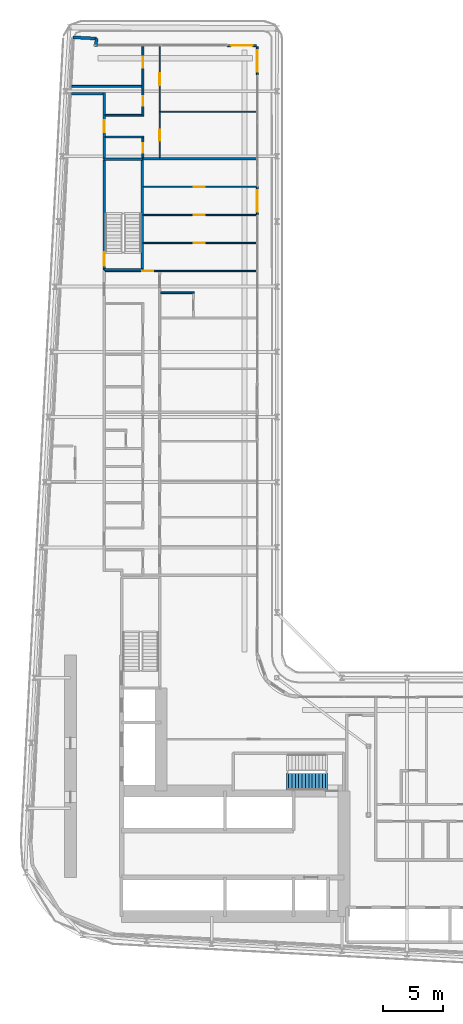
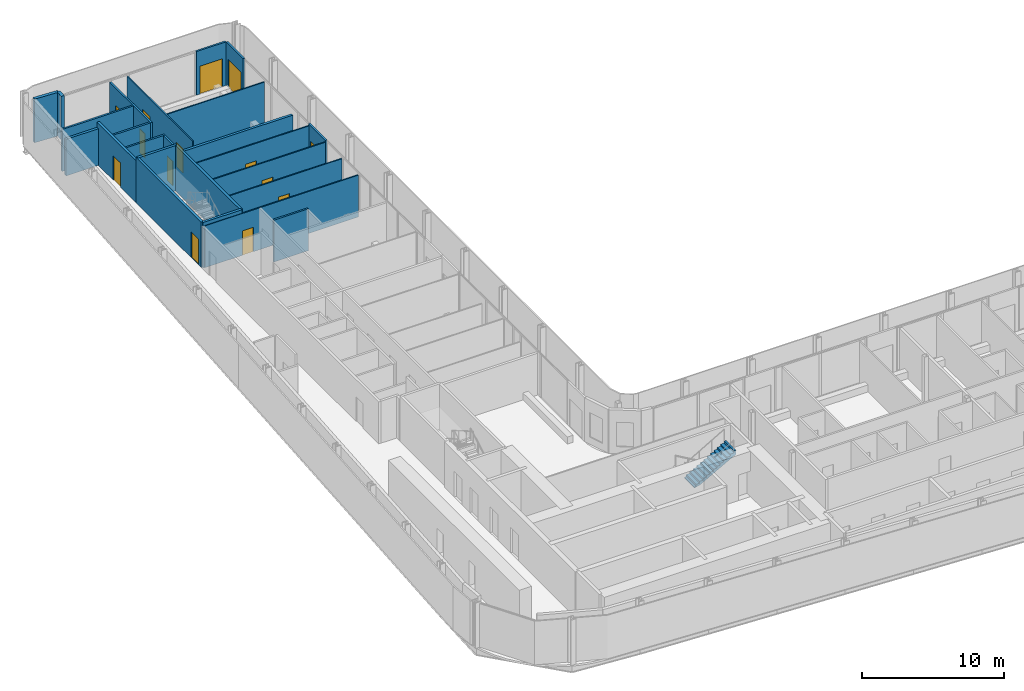
# One storey, part 17 of 25: 24 walls, 14 doors, 1 stair flight, 14 openings, 1 element without a shape of its own.
"""IFC4 building model written with IfcOpenShell, lengths in metres."""

from ifc_helpers import new_model, si_unit, direction, frame, frame_2d, origin, place, context, subcontext, project, spatial, polyline, rectangle, outline, extrude, source, transform, mapped, material, layer, layer_set, type_object, element, fill, aggregate, save


model = new_model("IFC4")

# Units and contexts
model_context = context("Model", 3, precision=1e-05, world=origin(), true_north=direction((0.0, 1.0)))
body_context = subcontext(model_context, "Body", "Model", "MODEL_VIEW")
ifc_project = project(units=[si_unit("LENGTHUNIT", "METRE"), si_unit("AREAUNIT", "SQUARE_METRE"), si_unit("VOLUMEUNIT", "CUBIC_METRE"), si_unit("PLANEANGLEUNIT", "RADIAN"), si_unit("MASSUNIT", "GRAM", prefix="KILO")], contexts=[model_context])

# Site, building, storey
site_placement = place(None, origin())
site = spatial("IfcSite", under=ifc_project, at=site_placement, CompositionType="ELEMENT")
building_placement = place(site_placement, origin())
building = spatial("IfcBuilding", under=site, at=building_placement, Name="Kheshtan School and Residences Tower", CompositionType="ELEMENT")
storey_placement = place(building_placement, frame((0.0, 0.0, 34.39990234375)))
storey = spatial("IfcBuildingStorey", under=building, at=storey_placement, Name="L07", CompositionType="ELEMENT", Elevation=34.39990234375)

# Wall
ifc_material_1 = material(Name="Gypsum board on steel studs with fire boards", Category="steel")
ifc_layer_1 = layer(ifc_material_1, 0.199951171875)
ifc_layer_set_1 = layer_set([ifc_layer_1], Name="Corridor wall 200")
wall_type_1 = type_object("IfcWallType", Name="Corridor wall 200", PredefinedType="PARTITIONING", material=ifc_layer_set_1)
wall_1_placement = place(storey_placement, frame((30.584716796875, 94.0, 0.0), z_axis=(0.0, 0.0, 1.0), x_axis=(1.0, 0.0, 0.0)))
element("IfcWall", 1, at=wall_1_placement, inside=storey, type_object=wall_type_1, Name="Partition L07-002", PredefinedType="PARTITIONING", context=body_context, shape_type="SweptSolid", body=[
    extrude(rectangle(XDim=2.615234375, YDim=0.199951171875, at=frame_2d((1.3076171875, 0.0))), origin(), (0.0, 0.0, 1.0), 3.147216796875),
])

# Wall, opening, door
wall_2_placement = place(storey_placement, frame((33.300048828125, 88.60009765625, 0.0), z_axis=(0.0, 0.0, 1.0), x_axis=(0.0, 1.0, 0.0)))
wall_2 = element("IfcWall", 2, at=wall_2_placement, inside=storey, type_object=wall_type_1, Name="Partition L07-004", PredefinedType="PARTITIONING", context=body_context, shape_type="SweptSolid", body=[
    extrude(rectangle(XDim=5.5, YDim=0.199951171875, at=frame_2d((2.75, 0.0))), origin(), (0.0, 0.0, 1.0), 3.60009765625),
])
opening_1_placement = place(wall_2_placement, frame((2.199951171875, 0.0, 0.0)))
opening_1 = element("IfcOpeningElement", 3, at=opening_1_placement, cuts=wall_2, Name="Opening D06-051", PredefinedType="OPENING", context=body_context, shape_type="SweptSolid", body=[
    extrude(rectangle(XDim=1.0, YDim=2.10009765625, at=frame_2d((0.5, 1.050048828125))), frame((0.0, 0.10986328125, 0.0), z_axis=(0.0, -1.0, 0.0), x_axis=(1.0, 0.0, 0.0)), (0.0, 0.0, 1.0), 0.219970703125),
])
ifc_material_2 = material(Name="Steel-framed fire-resisting door leaf", Category="steel")
door_type_1 = type_object("IfcDoorType", Name="Fire door FD30S 1000 x 2100", OperationType="SINGLE_SWING_LEFT", PredefinedType="DOOR", material=ifc_material_2)
shared_shape_1 = source(origin(), body_context, "Body", "SweptSolid", [
    extrude(rectangle(XDim=1.0, YDim=2.10009765625, at=frame_2d((0.5, 1.050048828125))), frame((0.0, 0.02490234375, 0.0), z_axis=(0.0, -1.0, 0.0), x_axis=(1.0, 0.0, 0.0)), (0.0, 0.0, 1.0), 0.050048828125),
])
door_1_placement = place(opening_1_placement, origin())
door_1 = element("IfcDoor", 4, at=door_1_placement, inside=storey, type_object=door_type_1, Name="Door D06-051", OperationType="SINGLE_SWING_LEFT", OverallHeight=2.10009765625, OverallWidth=1.0, PredefinedType="DOOR", context=body_context, shape_type="MappedRepresentation", body=[
    mapped(shared_shape_1, transform((0.0, 0.0, 0.0), x_axis=(1.0, 0.0, 0.0), y_axis=(0.0, 1.0, 0.0), z_axis=(0.0, 0.0, 1.0), scale=1.0)),
])
fill(opening_1, door_1)

# Walls
ifc_material_3 = material(Name="Concrete C40/50 with ceramic cladding and mineral wool insulation", Category="concrete")
ifc_layer_2 = layer(ifc_material_3, 0.25)
ifc_layer_set_2 = layer_set([ifc_layer_2], Name="External wall 250 ceramic clad")
wall_type_2 = type_object("IfcWallType", Name="External wall 250 ceramic clad", PredefinedType="SOLIDWALL", material=ifc_layer_set_2)
wall_3_placement = place(storey_placement, frame((30.705078125, 98.6640625, 0.0), z_axis=(0.0, 0.0, 1.0), x_axis=(0.998577785791, -0.053314216913, 0.0)))
element("IfcWall", 5, at=wall_3_placement, inside=storey, type_object=wall_type_2, Name="External wall L07 5", PredefinedType="SOLIDWALL", context=body_context, shape_type="SweptSolid", body=[
    extrude(rectangle(XDim=1.95068359375, YDim=0.25, at=frame_2d((0.975341796875, 0.0))), origin(), (0.0, 0.0, 1.0), 3.75),
])
wall_4_placement = place(storey_placement, frame((32.653076171875, 98.56005859375, 0.0), z_axis=(0.0, 0.0, 1.0), x_axis=(-0.054093451632, -0.998535877418, 0.0)))
element("IfcWall", 6, at=wall_4_placement, inside=storey, type_object=wall_type_2, Name="External wall L07 6", PredefinedType="SOLIDWALL", context=body_context, shape_type="SweptSolid", body=[
    extrude(rectangle(XDim=0.66796875, YDim=0.25, at=frame_2d((0.333984375, 0.0))), origin(), (0.0, 0.0, 1.0), 3.75),
])

# Wall, opening, door
ifc_material_4 = material(Name="Aluminium frame wall with insulated infill", Category="aluminium")
ifc_layer_3 = layer(ifc_material_4, 0.14990234375)
ifc_layer_set_3 = layer_set([ifc_layer_3], Name="Glazing frame wall 150")
wall_type_3 = type_object("IfcWallType", Name="Glazing frame wall 150", PredefinedType="SOLIDWALL", material=ifc_layer_set_3)
wall_5_placement = place(storey_placement, frame((43.5, 97.97509765625, 0.0), z_axis=(0.0, 0.0, 1.0), x_axis=(1.0, 0.0, 0.0)))
wall_5 = element("IfcWall", 7, at=wall_5_placement, inside=storey, type_object=wall_type_3, Name="Balcony door wall L07 7.1", PredefinedType="SOLIDWALL", context=body_context, shape_type="SweptSolid", body=[
    extrude(rectangle(XDim=2.39990234375, YDim=0.14990234375, at=frame_2d((1.199951171875, 0.0))), origin(), (0.0, 0.0, 1.0), 3.75),
])
opening_2_placement = place(wall_5_placement, frame((0.300048828125, 0.0, 0.0)))
opening_2 = element("IfcOpeningElement", 8, at=opening_2_placement, cuts=wall_5, Name="Opening BD", PredefinedType="OPENING", context=body_context, shape_type="SweptSolid", body=[
    extrude(rectangle(XDim=1.800048828125, YDim=2.39990234375, at=frame_2d((0.89990234375, 1.199951171875))), frame((0.0, 0.0849609375, 0.0), z_axis=(0.0, -1.0, 0.0), x_axis=(1.0, 0.0, 0.0)), (0.0, 0.0, 1.0), 0.169921875),
])
ifc_material_5 = material(Name="Clear low-e glass in thermally broken aluminium frame", Category="aluminium")
door_type_2 = type_object("IfcDoorType", Name="Balcony sliding door", OperationType="SLIDING_TO_LEFT", PredefinedType="DOOR", material=ifc_material_5)
shared_shape_2 = source(origin(), body_context, "Body", "SweptSolid", [
    extrude(rectangle(XDim=1.800048828125, YDim=2.39990234375, at=frame_2d((0.89990234375, 1.199951171875))), frame((0.0, 0.02490234375, 0.0), z_axis=(0.0, -1.0, 0.0), x_axis=(1.0, 0.0, 0.0)), (0.0, 0.0, 1.0), 0.050048828125),
])
door_2_placement = place(opening_2_placement, origin())
door_2 = element("IfcDoor", 9, at=door_2_placement, inside=storey, type_object=door_type_2, Name="Balcony door L07 7.1", OperationType="SLIDING_TO_LEFT", OverallHeight=2.39990234375, OverallWidth=1.800048828125, PredefinedType="DOOR", context=body_context, shape_type="MappedRepresentation", body=[
    mapped(shared_shape_2, transform((0.0, 0.0, 0.0), x_axis=(1.0, 0.0, 0.0), y_axis=(0.0, 1.0, 0.0), z_axis=(0.0, 0.0, 1.0), scale=1.0)),
])
fill(opening_2, door_2)

wall_6_placement = place(storey_placement, frame((45.97509765625, 97.89990234375, 0.0), z_axis=(0.0, 0.0, 1.0), x_axis=(0.0, -1.0, 0.0)))
wall_6 = element("IfcWall", 10, at=wall_6_placement, inside=storey, type_object=wall_type_3, Name="Balcony door wall L07 8.1", PredefinedType="SOLIDWALL", context=body_context, shape_type="SweptSolid", body=[
    extrude(rectangle(XDim=2.39990234375, YDim=0.14990234375, at=frame_2d((1.199951171875, 0.0))), origin(), (0.0, 0.0, 1.0), 3.75),
])
opening_3_placement = place(wall_6_placement, frame((0.300048828125, 0.0, 0.0)))
opening_3 = element("IfcOpeningElement", 11, at=opening_3_placement, cuts=wall_6, Name="Opening BD", PredefinedType="OPENING", context=body_context, shape_type="SweptSolid", body=[
    extrude(rectangle(XDim=1.800048828125, YDim=2.39990234375, at=frame_2d((0.89990234375, 1.199951171875))), frame((0.0, 0.0849609375, 0.0), z_axis=(0.0, -1.0, 0.0), x_axis=(1.0, 0.0, 0.0)), (0.0, 0.0, 1.0), 0.169921875),
])
door_3_placement = place(opening_3_placement, origin())
door_3 = element("IfcDoor", 12, at=door_3_placement, inside=storey, type_object=door_type_2, Name="Balcony door L07 8.1", OperationType="SLIDING_TO_LEFT", OverallHeight=2.39990234375, OverallWidth=1.800048828125, PredefinedType="DOOR", context=body_context, shape_type="MappedRepresentation", body=[
    mapped(shared_shape_2, transform((0.0, 0.0, 0.0), x_axis=(1.0, 0.0, 0.0), y_axis=(0.0, 1.0, 0.0), z_axis=(0.0, 0.0, 1.0), scale=1.0)),
])
fill(opening_3, door_3)

wall_7_placement = place(storey_placement, frame((45.97509765625, 86.305908203125, 0.0), z_axis=(0.0, 0.0, 1.0), x_axis=(0.0, -1.0, 0.0)))
wall_7 = element("IfcWall", 13, at=wall_7_placement, inside=storey, type_object=wall_type_3, Name="Balcony door wall L07 8.2", PredefinedType="SOLIDWALL", context=body_context, shape_type="SweptSolid", body=[
    extrude(rectangle(XDim=2.39990234375, YDim=0.14990234375, at=frame_2d((1.199951171875, 0.0))), origin(), (0.0, 0.0, 1.0), 3.75),
])
opening_4_placement = place(wall_7_placement, frame((0.300048828125, 0.0, 0.0)))
opening_4 = element("IfcOpeningElement", 14, at=opening_4_placement, cuts=wall_7, Name="Opening BD", PredefinedType="OPENING", context=body_context, shape_type="SweptSolid", body=[
    extrude(rectangle(XDim=1.800048828125, YDim=2.39990234375, at=frame_2d((0.89990234375, 1.199951171875))), frame((0.0, 0.0849609375, 0.0), z_axis=(0.0, -1.0, 0.0), x_axis=(1.0, 0.0, 0.0)), (0.0, 0.0, 1.0), 0.169921875),
])
door_4_placement = place(opening_4_placement, origin())
door_4 = element("IfcDoor", 15, at=door_4_placement, inside=storey, type_object=door_type_2, Name="Balcony door L07 8.2", OperationType="SLIDING_TO_LEFT", OverallHeight=2.39990234375, OverallWidth=1.800048828125, PredefinedType="DOOR", context=body_context, shape_type="MappedRepresentation", body=[
    mapped(shared_shape_2, transform((0.0, 0.0, 0.0), x_axis=(1.0, 0.0, 0.0), y_axis=(0.0, 1.0, 0.0), z_axis=(0.0, 0.0, 1.0), scale=1.0)),
])
fill(opening_4, door_4)

ifc_material_6 = material(Name="Gypsum board on steel studs", Category="steel")
ifc_layer_4 = layer(ifc_material_6, 0.10009765625)
ifc_layer_set_4 = layer_set([ifc_layer_4], Name="Gypsum partition 100")
wall_type_4 = type_object("IfcWallType", Name="Gypsum partition 100", PredefinedType="PARTITIONING", material=ifc_layer_set_4)
wall_8_placement = place(storey_placement, frame((33.39990234375, 79.300048828125, 0.0), z_axis=(0.0, 0.0, 1.0), x_axis=(1.0, 0.0, 0.0)))
wall_8 = element("IfcWall", 16, at=wall_8_placement, inside=storey, type_object=wall_type_4, Name="Partition L07-016", PredefinedType="PARTITIONING", context=body_context, shape_type="SweptSolid", body=[
    extrude(rectangle(XDim=12.5, YDim=0.10009765625, at=frame_2d((6.25, 0.0))), origin(), (0.0, 0.0, 1.0), 3.60009765625),
])
opening_5_placement = place(wall_8_placement, frame((3.052978515625, 0.0, 0.0)))
opening_5 = element("IfcOpeningElement", 17, at=opening_5_placement, cuts=wall_8, Name="Opening D06-045", PredefinedType="OPENING", context=body_context, shape_type="SweptSolid", body=[
    extrude(rectangle(XDim=0.89990234375, YDim=2.10009765625, at=frame_2d((0.449951171875, 1.050048828125))), frame((0.0, 0.06005859375, 0.0), z_axis=(0.0, -1.0, 0.0), x_axis=(1.0, 0.0, 0.0)), (0.0, 0.0, 1.0), 0.1201171875),
])
ifc_material_7 = material(Name="Veneered timber door leaf", Category="wood")
door_type_3 = type_object("IfcDoorType", Name="Door 900 x 2100", OperationType="SINGLE_SWING_LEFT", PredefinedType="DOOR", material=ifc_material_7)
shared_shape_3 = source(origin(), body_context, "Body", "SweptSolid", [
    extrude(rectangle(XDim=0.89990234375, YDim=2.10009765625, at=frame_2d((0.449951171875, 1.050048828125))), frame((0.0, 0.02490234375, 0.0), z_axis=(0.0, -1.0, 0.0), x_axis=(1.0, 0.0, 0.0)), (0.0, 0.0, 1.0), 0.050048828125),
])
door_5_placement = place(opening_5_placement, origin())
door_5 = element("IfcDoor", 18, at=door_5_placement, inside=storey, type_object=door_type_3, Name="Door D06-045", OperationType="SINGLE_SWING_LEFT", OverallHeight=2.10009765625, OverallWidth=0.89990234375, PredefinedType="DOOR", context=body_context, shape_type="MappedRepresentation", body=[
    mapped(shared_shape_3, transform((0.0, 0.0, 0.0), x_axis=(1.0, 0.0, 0.0), y_axis=(0.0, 1.0, 0.0), z_axis=(0.0, 0.0, 1.0), scale=1.0)),
])
fill(opening_5, door_5)

wall_9_placement = place(storey_placement, frame((36.549072265625, 81.625, 0.0), z_axis=(0.0, 0.0, 1.0), x_axis=(1.0, 0.0, 0.0)))
wall_9 = element("IfcWall", 19, at=wall_9_placement, inside=storey, type_object=wall_type_4, Name="Partition L07-029", PredefinedType="PARTITIONING", context=body_context, shape_type="SweptSolid", body=[
    extrude(rectangle(XDim=9.350830078125, YDim=0.10009765625, at=frame_2d((4.67529296875, 0.0))), origin(), (0.0, 0.0, 1.0), 3.60009765625),
])
opening_6_placement = place(wall_9_placement, frame((4.176025390625, 0.0, 0.0)))
opening_6 = element("IfcOpeningElement", 20, at=opening_6_placement, cuts=wall_9, Name="Opening D06-046", PredefinedType="OPENING", context=body_context, shape_type="SweptSolid", body=[
    extrude(rectangle(XDim=0.89990234375, YDim=2.10009765625, at=frame_2d((0.449951171875, 1.050048828125))), frame((0.0, 0.06005859375, 0.0), z_axis=(0.0, -1.0, 0.0), x_axis=(1.0, 0.0, 0.0)), (0.0, 0.0, 1.0), 0.1201171875),
])
door_6_placement = place(opening_6_placement, origin())
door_6 = element("IfcDoor", 21, at=door_6_placement, inside=storey, type_object=door_type_3, Name="Door D06-046", OperationType="SINGLE_SWING_RIGHT", OverallHeight=2.10009765625, OverallWidth=0.89990234375, PredefinedType="DOOR", context=body_context, shape_type="MappedRepresentation", body=[
    mapped(shared_shape_3, transform((0.0, 0.0, 0.0), x_axis=(1.0, 0.0, 0.0), y_axis=(0.0, 1.0, 0.0), z_axis=(0.0, 0.0, 1.0), scale=1.0)),
])
fill(opening_6, door_6)

wall_10_placement = place(storey_placement, frame((36.549072265625, 83.949951171875, 0.0), z_axis=(0.0, 0.0, 1.0), x_axis=(1.0, 0.0, 0.0)))
wall_10 = element("IfcWall", 22, at=wall_10_placement, inside=storey, type_object=wall_type_4, Name="Partition L07-030", PredefinedType="PARTITIONING", context=body_context, shape_type="SweptSolid", body=[
    extrude(rectangle(XDim=9.350830078125, YDim=0.10009765625, at=frame_2d((4.67529296875, 0.0))), origin(), (0.0, 0.0, 1.0), 3.60009765625),
])
opening_7_placement = place(wall_10_placement, frame((4.176025390625, 0.0, 0.0)))
opening_7 = element("IfcOpeningElement", 23, at=opening_7_placement, cuts=wall_10, Name="Opening D06-047", PredefinedType="OPENING", context=body_context, shape_type="SweptSolid", body=[
    extrude(rectangle(XDim=0.89990234375, YDim=2.10009765625, at=frame_2d((0.449951171875, 1.050048828125))), frame((0.0, 0.06005859375, 0.0), z_axis=(0.0, -1.0, 0.0), x_axis=(1.0, 0.0, 0.0)), (0.0, 0.0, 1.0), 0.1201171875),
])
door_7_placement = place(opening_7_placement, origin())
door_7 = element("IfcDoor", 24, at=door_7_placement, inside=storey, type_object=door_type_3, Name="Door D06-047", OperationType="SINGLE_SWING_RIGHT", OverallHeight=2.10009765625, OverallWidth=0.89990234375, PredefinedType="DOOR", context=body_context, shape_type="MappedRepresentation", body=[
    mapped(shared_shape_3, transform((0.0, 0.0, 0.0), x_axis=(1.0, 0.0, 0.0), y_axis=(0.0, 1.0, 0.0), z_axis=(0.0, 0.0, 1.0), scale=1.0)),
])
fill(opening_7, door_7)

wall_11_placement = place(storey_placement, frame((36.549072265625, 86.27490234375, 0.0), z_axis=(0.0, 0.0, 1.0), x_axis=(1.0, 0.0, 0.0)))
wall_11 = element("IfcWall", 25, at=wall_11_placement, inside=storey, type_object=wall_type_4, Name="Partition L07-031", PredefinedType="PARTITIONING", context=body_context, shape_type="SweptSolid", body=[
    extrude(rectangle(XDim=9.350830078125, YDim=0.10009765625, at=frame_2d((4.67529296875, 0.0))), origin(), (0.0, 0.0, 1.0), 3.60009765625),
])
opening_8_placement = place(wall_11_placement, frame((4.176025390625, 0.0, 0.0)))
opening_8 = element("IfcOpeningElement", 26, at=opening_8_placement, cuts=wall_11, Name="Opening D06-048", PredefinedType="OPENING", context=body_context, shape_type="SweptSolid", body=[
    extrude(rectangle(XDim=0.89990234375, YDim=2.10009765625, at=frame_2d((0.449951171875, 1.050048828125))), frame((0.0, 0.06005859375, 0.0), z_axis=(0.0, -1.0, 0.0), x_axis=(1.0, 0.0, 0.0)), (0.0, 0.0, 1.0), 0.1201171875),
])
door_8_placement = place(opening_8_placement, origin())
door_8 = element("IfcDoor", 27, at=door_8_placement, inside=storey, type_object=door_type_3, Name="Door D06-048", OperationType="SINGLE_SWING_RIGHT", OverallHeight=2.10009765625, OverallWidth=0.89990234375, PredefinedType="DOOR", context=body_context, shape_type="MappedRepresentation", body=[
    mapped(shared_shape_3, transform((0.0, 0.0, 0.0), x_axis=(1.0, 0.0, 0.0), y_axis=(0.0, 1.0, 0.0), z_axis=(0.0, 0.0, 1.0), scale=1.0)),
])
fill(opening_8, door_8)

# Wall, openings, doors
wall_12_placement = place(storey_placement, frame((37.89990234375, 88.699951171875, 0.0), z_axis=(0.0, 0.0, 1.0), x_axis=(0.0, 1.0, 0.0)))
wall_12 = element("IfcWall", 28, at=wall_12_placement, inside=storey, type_object=wall_type_4, Name="Partition L07-034", PredefinedType="PARTITIONING", context=body_context, shape_type="SweptSolid", body=[
    extrude(rectangle(XDim=9.199951171875, YDim=0.10009765625, at=frame_2d((4.60009765625, 0.0))), origin(), (0.0, 0.0, 1.0), 3.60009765625),
])
opening_9_placement = place(wall_12_placement, frame((1.39990234375, 0.0, 0.0)))
opening_9 = element("IfcOpeningElement", 29, at=opening_9_placement, cuts=wall_12, Name="Opening D06-050", PredefinedType="OPENING", context=body_context, shape_type="SweptSolid", body=[
    extrude(rectangle(XDim=0.89990234375, YDim=2.10009765625, at=frame_2d((0.449951171875, 1.050048828125))), frame((0.0, 0.06005859375, 0.0), z_axis=(0.0, -1.0, 0.0), x_axis=(1.0, 0.0, 0.0)), (0.0, 0.0, 1.0), 0.1201171875),
])
opening_10_placement = place(wall_12_placement, frame((6.0, 0.0, 0.0)))
opening_10 = element("IfcOpeningElement", 30, at=opening_10_placement, cuts=wall_12, Name="Opening D06-053", PredefinedType="OPENING", context=body_context, shape_type="SweptSolid", body=[
    extrude(rectangle(XDim=1.0, YDim=2.10009765625, at=frame_2d((0.5, 1.050048828125))), frame((0.0, 0.06005859375, 0.0), z_axis=(0.0, -1.0, 0.0), x_axis=(1.0, 0.0, 0.0)), (0.0, 0.0, 1.0), 0.1201171875),
])
door_type_4 = type_object("IfcDoorType", Name="Door 1000 x 2100", OperationType="SINGLE_SWING_LEFT", PredefinedType="DOOR", material=ifc_material_7)
shared_shape_4 = source(origin(), body_context, "Body", "SweptSolid", [
    extrude(rectangle(XDim=1.0, YDim=2.10009765625, at=frame_2d((0.5, 1.050048828125))), frame((0.0, 0.02490234375, 0.0), z_axis=(0.0, -1.0, 0.0), x_axis=(1.0, 0.0, 0.0)), (0.0, 0.0, 1.0), 0.050048828125),
])
door_9_placement = place(opening_10_placement, origin())
door_9 = element("IfcDoor", 31, at=door_9_placement, inside=storey, type_object=door_type_4, Name="Door D06-053", OperationType="SINGLE_SWING_RIGHT", OverallHeight=2.10009765625, OverallWidth=1.0, PredefinedType="DOOR", context=body_context, shape_type="MappedRepresentation", body=[
    mapped(shared_shape_4, transform((0.0, 0.0, 0.0), x_axis=(1.0, 0.0, 0.0), y_axis=(0.0, 1.0, 0.0), z_axis=(0.0, 0.0, 1.0), scale=1.0)),
])
fill(opening_10, door_9)
door_10_placement = place(opening_9_placement, origin())
door_10 = element("IfcDoor", 32, at=door_10_placement, inside=storey, type_object=door_type_3, Name="Door D06-050", OperationType="SINGLE_SWING_LEFT", OverallHeight=2.10009765625, OverallWidth=0.89990234375, PredefinedType="DOOR", context=body_context, shape_type="MappedRepresentation", body=[
    mapped(shared_shape_3, transform((0.0, 0.0, 0.0), x_axis=(1.0, 0.0, 0.0), y_axis=(0.0, 1.0, 0.0), z_axis=(0.0, 0.0, 1.0), scale=1.0)),
])
fill(opening_9, door_10)

# Walls
wall_13_placement = place(storey_placement, frame((37.949951171875, 92.5, 0.0), z_axis=(0.0, 0.0, 1.0), x_axis=(1.0, 0.0, 0.0)))
element("IfcWall", 33, at=wall_13_placement, inside=storey, type_object=wall_type_4, Name="Partition L07-035", PredefinedType="PARTITIONING", context=body_context, shape_type="SweptSolid", body=[
    extrude(rectangle(XDim=7.949951171875, YDim=0.10009765625, at=frame_2d((3.97509765625, 0.0))), origin(), (0.0, 0.0, 1.0), 3.60009765625),
])
ifc_material_8 = material(Name="Concrete C40/50", Category="concrete")
ifc_layer_5 = layer(ifc_material_8, 0.199951171875)
ifc_layer_set_5 = layer_set([ifc_layer_5], Name="Stair enclosure wall 200 Concrete C40/50")
wall_type_5 = type_object("IfcWallType", Name="Stair enclosure wall 200 Concrete C40/50", PredefinedType="SHEAR", material=ifc_layer_set_5)
for number, where, z_axis, x_axis, name in (
    (34, (33.300048828125, 79.39990234375, 0.0), (0.0, 0.0, 1.0), (1.0, 0.0, 0.0), "Stair enclosure wall ST3"),
    (35, (33.300048828125, 88.56005859375, 0.0), (0.0, 0.0, 1.0), (1.0, 0.0, 0.0), "Stair enclosure wall ST3"),
):
    element("IfcWall", number, at=place(storey_placement, frame(where, z_axis=z_axis, x_axis=x_axis)), inside=storey, type_object=wall_type_5, Name=name, PredefinedType="SHEAR", context=body_context, shape_type="SweptSolid", body=[
        extrude(rectangle(XDim=3.14990234375, YDim=0.199951171875, at=frame_2d((1.574951171875, 0.0))), origin(), (0.0, 0.0, 1.0), 3.900146484375),
    ])

# Wall, opening, door
wall_14_placement = place(storey_placement, frame((33.300048828125, 79.39990234375, 0.0), z_axis=(0.0, 0.0, 1.0), x_axis=(0.0, 1.0, 0.0)))
wall_14 = element("IfcWall", 36, at=wall_14_placement, inside=storey, type_object=wall_type_5, Name="Stair enclosure wall ST3", PredefinedType="SHEAR", context=body_context, shape_type="SweptSolid", body=[
    extrude(rectangle(XDim=9.16015625, YDim=0.199951171875, at=frame_2d((4.580078125, 0.0))), origin(), (0.0, 0.0, 1.0), 3.900146484375),
])
opening_11_placement = place(wall_14_placement, frame((0.35009765625, 0.0, 0.0)))
opening_11 = element("IfcOpeningElement", 37, at=opening_11_placement, cuts=wall_14, Name="Opening ST3D", PredefinedType="OPENING", context=body_context, shape_type="SweptSolid", body=[
    extrude(rectangle(XDim=1.10009765625, YDim=2.199951171875, at=frame_2d((0.550048828125, 1.10009765625))), frame((0.0, 0.10986328125, 0.0), z_axis=(0.0, -1.0, 0.0), x_axis=(1.0, 0.0, 0.0)), (0.0, 0.0, 1.0), 0.219970703125),
])
ifc_material_9 = material(Name="Steel door leaf, galvanised", Category="steel")
door_type_5 = type_object("IfcDoorType", Name="Stair door 1100 steel 90 min", OperationType="SINGLE_SWING_LEFT", PredefinedType="DOOR", material=ifc_material_9)
shared_shape_5 = source(origin(), body_context, "Body", "SweptSolid", [
    extrude(rectangle(XDim=1.10009765625, YDim=2.199951171875, at=frame_2d((0.550048828125, 1.10009765625))), frame((0.0, 0.02490234375, 0.0), z_axis=(0.0, -1.0, 0.0), x_axis=(1.0, 0.0, 0.0)), (0.0, 0.0, 1.0), 0.050048828125),
])
door_11_placement = place(opening_11_placement, origin())
door_11 = element("IfcDoor", 38, at=door_11_placement, inside=storey, type_object=door_type_5, Name="Stair ST3 door", OperationType="SINGLE_SWING_RIGHT", OverallHeight=2.199951171875, OverallWidth=1.10009765625, PredefinedType="DOOR", context=body_context, shape_type="MappedRepresentation", body=[
    mapped(shared_shape_5, transform((0.0, 0.0, 0.0), x_axis=(1.0, 0.0, 0.0), y_axis=(0.0, 1.0, 0.0), z_axis=(0.0, 0.0, 1.0), scale=1.0)),
])
fill(opening_11, door_11)

# Walls
wall_15_placement = place(storey_placement, frame((36.449951171875, 79.39990234375, 0.0), z_axis=(0.0, 0.0, 1.0), x_axis=(0.0, 1.0, 0.0)))
element("IfcWall", 39, at=wall_15_placement, inside=storey, type_object=wall_type_5, Name="Stair enclosure wall ST3", PredefinedType="SHEAR", context=body_context, shape_type="SweptSolid", body=[
    extrude(rectangle(XDim=9.16015625, YDim=0.199951171875, at=frame_2d((4.580078125, 0.0))), origin(), (0.0, 0.0, 1.0), 3.900146484375),
])
ifc_material_10 = material(Name="Twin gypsum board on steel studs with mineral wool", Category="steel")
ifc_layer_6 = layer(ifc_material_10, 0.199951171875)
ifc_layer_set_6 = layer_set([ifc_layer_6], Name="Unit demising wall 200")
wall_type_6 = type_object("IfcWallType", Name="Unit demising wall 200", PredefinedType="PARTITIONING", material=ifc_layer_set_6)
wall_16_placement = place(storey_placement, frame((36.425048828125, 88.60009765625, 0.0), z_axis=(0.0, 0.0, 1.0), x_axis=(1.0, 0.0, 0.0)))
element("IfcWall", 40, at=wall_16_placement, inside=storey, type_object=wall_type_6, Name="Partition L07-022", PredefinedType="PARTITIONING", context=body_context, shape_type="SweptSolid", body=[
    extrude(rectangle(XDim=9.474853515625, YDim=0.199951171875, at=frame_2d((4.7373046875, 0.0))), origin(), (0.0, 0.0, 1.0), 3.147216796875),
])
ifc_material_11 = material(Name="Moisture-resistant gypsum board on steel studs", Category="steel")
ifc_layer_7 = layer(ifc_material_11, 0.14990234375)
ifc_layer_set_7 = layer_set([ifc_layer_7], Name="Wet-room partition 150")
wall_type_7 = type_object("IfcWallType", Name="Wet-room partition 150", PredefinedType="PARTITIONING", material=ifc_layer_set_7)
wall_17_placement = place(storey_placement, frame((30.616943359375, 94.60009765625, 0.0), z_axis=(0.0, 0.0, 1.0), x_axis=(1.0, 0.0, 0.0)))
element("IfcWall", 41, at=wall_17_placement, inside=storey, type_object=wall_type_7, Name="Partition L07-001", PredefinedType="PARTITIONING", context=body_context, shape_type="SweptSolid", body=[
    extrude(rectangle(XDim=5.80810546875, YDim=0.14990234375, at=frame_2d((2.904052734375, 0.0))), origin(), (0.0, 0.0, 1.0), 3.60009765625),
])
wall_18_placement = place(storey_placement, frame((33.39990234375, 90.39990234375, 0.0), z_axis=(0.0, 0.0, 1.0), x_axis=(1.0, 0.0, 0.0)))
element("IfcWall", 42, at=wall_18_placement, inside=storey, type_object=wall_type_7, Name="Partition L07-017", PredefinedType="PARTITIONING", context=body_context, shape_type="SweptSolid", body=[
    extrude(rectangle(XDim=3.175048828125, YDim=0.14990234375, at=frame_2d((1.58740234375, 0.0))), origin(), (0.0, 0.0, 1.0), 3.60009765625),
])
wall_19_placement = place(storey_placement, frame((33.39990234375, 92.199951171875, 0.0), z_axis=(0.0, 0.0, 1.0), x_axis=(1.0, 0.0, 0.0)))
element("IfcWall", 43, at=wall_19_placement, inside=storey, type_object=wall_type_7, Name="Partition L07-018", PredefinedType="PARTITIONING", context=body_context, shape_type="SweptSolid", body=[
    extrude(rectangle(XDim=3.025146484375, YDim=0.14990234375, at=frame_2d((1.5126953125, 0.0))), origin(), (0.0, 0.0, 1.0), 3.60009765625),
])

# Wall, opening, door
wall_20_placement = place(storey_placement, frame((36.5, 88.699951171875, 0.0), z_axis=(0.0, 0.0, 1.0), x_axis=(0.0, 1.0, 0.0)))
wall_20 = element("IfcWall", 44, at=wall_20_placement, inside=storey, type_object=wall_type_7, Name="Partition L07-027", PredefinedType="PARTITIONING", context=body_context, shape_type="SweptSolid", body=[
    extrude(rectangle(XDim=1.625, YDim=0.14990234375, at=frame_2d((0.8125, 0.0))), origin(), (0.0, 0.0, 1.0), 3.60009765625),
])
opening_12_placement = place(wall_20_placement, frame((0.39990234375, 0.0, 0.0)))
opening_12 = element("IfcOpeningElement", 45, at=opening_12_placement, cuts=wall_20, Name="Opening D06-054", PredefinedType="OPENING", context=body_context, shape_type="SweptSolid", body=[
    extrude(rectangle(XDim=0.800048828125, YDim=2.10009765625, at=frame_2d((0.39990234375, 1.050048828125))), frame((0.0, 0.0849609375, 0.0), z_axis=(0.0, -1.0, 0.0), x_axis=(1.0, 0.0, 0.0)), (0.0, 0.0, 1.0), 0.169921875),
])
door_type_6 = type_object("IfcDoorType", Name="Door 800 x 2100", OperationType="SINGLE_SWING_LEFT", PredefinedType="DOOR", material=ifc_material_7)
shared_shape_6 = source(origin(), body_context, "Body", "SweptSolid", [
    extrude(rectangle(XDim=0.800048828125, YDim=2.10009765625, at=frame_2d((0.39990234375, 1.050048828125))), frame((0.0, 0.02490234375, 0.0), z_axis=(0.0, -1.0, 0.0), x_axis=(1.0, 0.0, 0.0)), (0.0, 0.0, 1.0), 0.050048828125),
])
door_12_placement = place(opening_12_placement, origin())
door_12 = element("IfcDoor", 46, at=door_12_placement, inside=storey, type_object=door_type_6, Name="Door D06-054", OperationType="SINGLE_SWING_RIGHT", OverallHeight=2.10009765625, OverallWidth=0.800048828125, PredefinedType="DOOR", context=body_context, shape_type="MappedRepresentation", body=[
    mapped(shared_shape_6, transform((0.0, 0.0, 0.0), x_axis=(1.0, 0.0, 0.0), y_axis=(0.0, 1.0, 0.0), z_axis=(0.0, 0.0, 1.0), scale=1.0)),
])
fill(opening_12, door_12)

# Wall, openings, doors
wall_21_placement = place(storey_placement, frame((36.5, 92.125, 0.0), z_axis=(0.0, 0.0, 1.0), x_axis=(0.0, 1.0, 0.0)))
wall_21 = element("IfcWall", 47, at=wall_21_placement, inside=storey, type_object=wall_type_7, Name="Partition L07-028", PredefinedType="PARTITIONING", context=body_context, shape_type="SweptSolid", body=[
    extrude(rectangle(XDim=5.77490234375, YDim=0.14990234375, at=frame_2d((2.887451171875, 0.0))), origin(), (0.0, 0.0, 1.0), 3.60009765625),
])
opening_13_placement = place(wall_21_placement, frame((0.875, 0.0, 0.0)))
opening_13 = element("IfcOpeningElement", 48, at=opening_13_placement, cuts=wall_21, Name="Opening D06-049", PredefinedType="OPENING", context=body_context, shape_type="SweptSolid", body=[
    extrude(rectangle(XDim=0.800048828125, YDim=2.10009765625, at=frame_2d((0.39990234375, 1.050048828125))), frame((0.0, 0.0849609375, 0.0), z_axis=(0.0, -1.0, 0.0), x_axis=(1.0, 0.0, 0.0)), (0.0, 0.0, 1.0), 0.169921875),
])
opening_14_placement = place(wall_21_placement, frame((4.02490234375, 0.0, 0.0)))
opening_14 = element("IfcOpeningElement", 49, at=opening_14_placement, cuts=wall_21, Name="Opening D06-052", PredefinedType="OPENING", context=body_context, shape_type="SweptSolid", body=[
    extrude(rectangle(XDim=0.89990234375, YDim=2.10009765625, at=frame_2d((0.449951171875, 1.050048828125))), frame((0.0, 0.0849609375, 0.0), z_axis=(0.0, -1.0, 0.0), x_axis=(1.0, 0.0, 0.0)), (0.0, 0.0, 1.0), 0.169921875),
])
door_13_placement = place(opening_13_placement, origin())
door_13 = element("IfcDoor", 50, at=door_13_placement, inside=storey, type_object=door_type_6, Name="Door D06-049", OperationType="SINGLE_SWING_LEFT", OverallHeight=2.10009765625, OverallWidth=0.800048828125, PredefinedType="DOOR", context=body_context, shape_type="MappedRepresentation", body=[
    mapped(shared_shape_6, transform((0.0, 0.0, 0.0), x_axis=(1.0, 0.0, 0.0), y_axis=(0.0, 1.0, 0.0), z_axis=(0.0, 0.0, 1.0), scale=1.0)),
])
fill(opening_13, door_13)
door_14_placement = place(opening_14_placement, origin())
door_14 = element("IfcDoor", 51, at=door_14_placement, inside=storey, type_object=door_type_3, Name="Door D06-052", OperationType="SINGLE_SWING_LEFT", OverallHeight=2.10009765625, OverallWidth=0.89990234375, PredefinedType="DOOR", context=body_context, shape_type="MappedRepresentation", body=[
    mapped(shared_shape_3, transform((0.0, 0.0, 0.0), x_axis=(1.0, 0.0, 0.0), y_axis=(0.0, 1.0, 0.0), z_axis=(0.0, 0.0, 1.0), scale=1.0)),
])
fill(opening_14, door_14)

# Wall
wall_22_placement = place(storey_placement, frame((37.97509765625, 77.5, 0.0), z_axis=(0.0, 0.0, 1.0), x_axis=(1.0, 0.0, 0.0)))
element("IfcWall", 52, at=wall_22_placement, inside=storey, type_object=wall_type_7, Name="Partition L07-042", PredefinedType="PARTITIONING", context=body_context, shape_type="SweptSolid", body=[
    extrude(rectangle(XDim=2.7998046875, YDim=0.14990234375, at=frame_2d((1.39990234375, 0.0))), origin(), (0.0, 0.0, 1.0), 3.60009765625),
])

# Stair, stair flight
stair_type = type_object("IfcStairType", Name="Exit stair, half-turn", PredefinedType="HALF_TURN_STAIR", material=ifc_material_8)
stair_placement = place(storey_placement, origin())
stair = element("IfcStair", 53, at=stair_placement, inside=storey, type_object=stair_type, Name="L07 Protected Exit Stair ST1", PredefinedType="HALF_TURN_STAIR")
ifc_layer_8 = layer(ifc_material_8, 0.14990234375)
ifc_layer_set_8 = layer_set([ifc_layer_8], Name="Stair flight 1400 Concrete C40/50")
stair_flight_type = type_object("IfcStairFlightType", Name="Stair flight 1400 Concrete C40/50", PredefinedType="STRAIGHT", material=ifc_layer_set_8)
stair_flight_placement = place(storey_placement, frame((48.570068359375, 37.0, 1.9501953125), z_axis=(0.0, 0.0, 1.0), x_axis=(1.0, 0.0, 0.0)))
stair_flight = element("IfcStairFlight", 54, at=stair_flight_placement, type_object=stair_flight_type, Name="ST1 flight 2", NumberOfRisers=12, NumberOfTreads=11, PredefinedType="STRAIGHT", RiserHeight=0.1625, TreadLength=0.28, context=body_context, shape_type="SweptSolid", body=[
    extrude(outline(polyline([(-0.14990234375, -0.10009765625), (-0.14990234375, 0.0), (0.0, 0.0), (0.0, 0.16259765625), (0.280029296875, 0.16259765625), (0.280029296875, 0.324951171875), (0.56005859375, 0.324951171875), (0.56005859375, 0.487548828125), (0.840087890625, 0.487548828125), (0.840087890625, 0.64990234375), (1.1201171875, 0.64990234375), (1.1201171875, 0.8125), (1.39990234375, 0.8125), (1.39990234375, 0.97509765625), (1.679931640625, 0.97509765625), (1.679931640625, 1.137451171875), (1.9599609375, 1.137451171875), (1.9599609375, 1.300048828125), (2.239990234375, 1.300048828125), (2.239990234375, 1.46240234375), (2.52001953125, 1.46240234375), (2.52001953125, 1.625), (2.800048828125, 1.625), (2.800048828125, 1.78759765625), (3.080078125, 1.78759765625), (3.080078125, 1.949951171875), (3.080078125, 1.969970703125), (3.22998046875, 1.969970703125), (3.22998046875, 1.6142578125), (0.298583984375, 0.0), (-0.14990234375, -0.10009765625)])), frame((0.0, 0.699951171875, 0.0), z_axis=(0.0, -1.0, 0.0), x_axis=(1.0, 0.0, 0.0)), (0.0, 0.0, 1.0), 1.39990234375),
])
aggregate(stair, [stair_flight])

save(model, "model.ifc")
